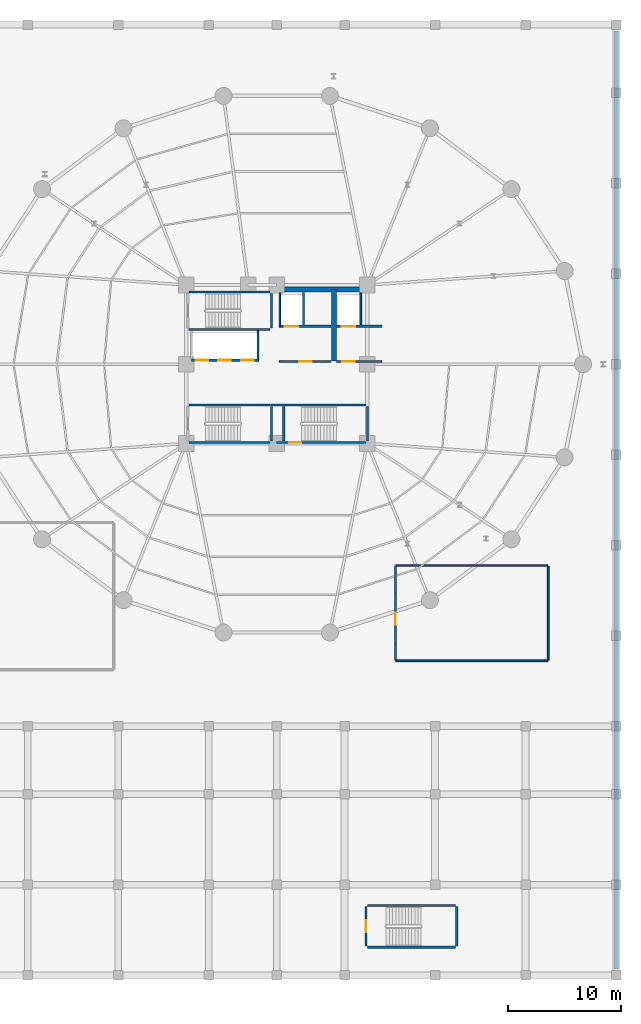
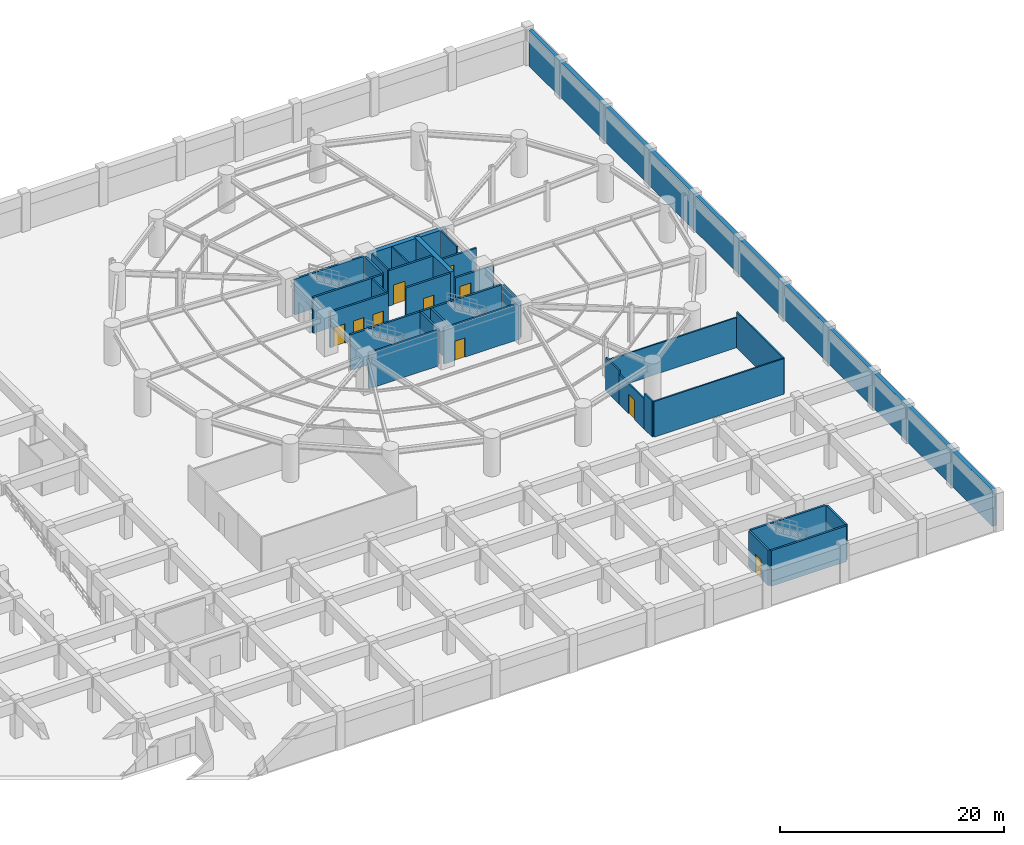
# One storey, part 12 of 20: 32 walls, 10 doors, 10 openings.
"""IFC4 building model written with IfcOpenShell, lengths in metres."""

from ifc_helpers import new_model, si_unit, direction, frame, frame_2d, origin, place, context, subcontext, project, spatial, rectangle, extrude, material, layer, layer_set, type_object, element, fill, save


model = new_model("IFC4")

# Units and contexts
model_context = context("Model", 3, precision=1e-05, world=origin(), true_north=direction((0.0, 1.0)))
body_context = subcontext(model_context, "Body", "Model", "MODEL_VIEW")
ifc_project = project(units=[si_unit("LENGTHUNIT", "METRE"), si_unit("AREAUNIT", "SQUARE_METRE"), si_unit("VOLUMEUNIT", "CUBIC_METRE"), si_unit("PLANEANGLEUNIT", "RADIAN"), si_unit("MASSUNIT", "GRAM", prefix="KILO")], contexts=[model_context])

# Site, building, storey
site_placement = place(None, origin())
site = spatial("IfcSite", under=ifc_project, at=site_placement, CompositionType="ELEMENT")
building_placement = place(site_placement, origin())
building = spatial("IfcBuilding", under=site, at=building_placement, Name="Kelanora Arch Commons", CompositionType="ELEMENT")
storey_placement = place(building_placement, frame((0.0, 0.0, -4.199951171875)))
storey = spatial("IfcBuildingStorey", under=building, at=storey_placement, Name="B01", CompositionType="ELEMENT", Elevation=-4.199951171875)

# Walls
ifc_material_1 = material(Name="Concrete C45/55 waterproofed retaining wall", Category="concrete")
ifc_layer_1 = layer(ifc_material_1, 0.39990234375)
ifc_layer_set_1 = layer_set([ifc_layer_1], Name="Concrete C45/55 waterproofed retaining wall")
wall_type_1 = type_object("IfcWallType", Name="W-BSMT-RET", PredefinedType="USERDEFINED", material=ifc_layer_set_1)
wall_1_placement = place(storey_placement, frame((104.0, 4.550048828125, 0.0), z_axis=(0.0, 0.0, 1.0), x_axis=(0.0, 1.0, 0.0)))
element("IfcWall", 1, at=wall_1_placement, inside=storey, type_object=wall_type_1, Name="Basement Retaining Wall B01-2", ObjectType="RETAININGWALL", PredefinedType="USERDEFINED", context=body_context, shape_type="SweptSolid", body=[
    extrude(rectangle(XDim=82.89990234375, YDim=0.39990234375, at=frame_2d((41.449951171875, 0.0))), origin(), (0.0, 0.0, 1.0), 3.89990234375),
])
ifc_material_2 = material(Name="Autoclaved aerated concrete blockwork with fire plaster", Category="masonry")
ifc_layer_2 = layer(ifc_material_2, 0.14990234375)
ifc_layer_set_2 = layer_set([ifc_layer_2], Name="Autoclaved aerated concrete blockwork with fire plaster")
wall_type_2 = type_object("IfcWallType", Name="W-COMP-150", PredefinedType="PARTITIONING", material=ifc_layer_set_2)
wall_2_placement = place(storey_placement, frame((74.280029296875, 61.35009765625, 0.0), z_axis=(0.0, 0.0, 1.0), x_axis=(0.0, 1.0, 0.0)))
element("IfcWall", 2, at=wall_2_placement, inside=storey, type_object=wall_type_2, Name="Firefighting Lift 1 West Shaft Wall B01", PredefinedType="PARTITIONING", context=body_context, shape_type="SweptSolid", body=[
    extrude(rectangle(XDim=2.969970703125, YDim=0.14990234375, at=frame_2d((1.48486328125, 0.0))), origin(), (0.0, 0.0, 1.0), 3.889892578125),
])
for number, where, z_axis, x_axis, name in (
    (3, (76.360107421875, 61.47998046875, 0.0), (0.0, 0.0, 1.0), (0.0, 1.0, 0.0), "Firefighting Lift 1 East Shaft Wall B01"),
    (4, (81.419921875, 61.47998046875, 0.0), (0.0, 0.0, 1.0), (0.0, 1.0, 0.0), "Firefighting Lift 2 East Shaft Wall B01"),
):
    element("IfcWall", number, at=place(storey_placement, frame(where, z_axis=z_axis, x_axis=x_axis)), inside=storey, type_object=wall_type_2, Name=name, PredefinedType="PARTITIONING", context=body_context, shape_type="SweptSolid", body=[
        extrude(rectangle(XDim=2.840087890625, YDim=0.14990234375, at=frame_2d((1.419921875, 0.0))), origin(), (0.0, 0.0, 1.0), 3.889892578125),
    ])
wall_3_placement = place(storey_placement, frame((72.340087890625, 58.47998046875, 0.0), z_axis=(0.0, 0.0, 1.0), x_axis=(0.0, 1.0, 0.0)))
element("IfcWall", 5, at=wall_3_placement, inside=storey, type_object=wall_type_2, Name="Low-Rise Lift Bank East Wall B01", PredefinedType="PARTITIONING", context=body_context, shape_type="SweptSolid", body=[
    extrude(rectangle(XDim=2.4599609375, YDim=0.14990234375, at=frame_2d((1.22998046875, 0.0))), origin(), (0.0, 0.0, 1.0), 3.889892578125),
])

# Wall, opening, door
wall_4_placement = place(storey_placement, frame((84.5, 33.260009765625, 0.0), z_axis=(0.0, 0.0, 1.0), x_axis=(0.0, 1.0, 0.0)))
wall_4 = element("IfcWall", 6, at=wall_4_placement, inside=storey, type_object=wall_type_2, Name="HV Substation and Emergency Generator Hall B01 Entry Partition", PredefinedType="PARTITIONING", context=body_context, shape_type="SweptSolid", body=[
    extrude(rectangle(XDim=4.47998046875, YDim=0.14990234375, at=frame_2d((2.239990234375, 0.0))), origin(), (0.0, 0.0, 1.0), 3.284912109375),
])
opening_1_placement = place(wall_4_placement, frame((1.699951171875, 0.0, 0.0)))
opening_1 = element("IfcOpeningElement", 7, at=opening_1_placement, cuts=wall_4, Name="Opening D-PLT1", PredefinedType="OPENING", context=body_context, shape_type="SweptSolid", body=[
    extrude(rectangle(XDim=1.080078125, YDim=2.10009765625, at=frame_2d((0.5400390625, 1.050048828125))), frame((0.0, 0.0849609375, 0.0), z_axis=(0.0, -1.0, 0.0), x_axis=(1.0, 0.0, 0.0)), (0.0, 0.0, 1.0), 0.169921875),
])
ifc_material_3 = material(Name="Galvanised steel plant and riser fire door", Category="steel")
door_type_1 = type_object("IfcDoorType", Name="D-PLT-110", OperationType="NOTDEFINED", PredefinedType="DOOR", material=ifc_material_3)
door_1_placement = place(opening_1_placement, origin())
door_1 = element("IfcDoor", 8, at=door_1_placement, inside=storey, type_object=door_type_1, Name="HV Substation and Emergency Generator Hall B01 Door", OperationType="SINGLE_SWING_LEFT", OverallHeight=2.10009765625, OverallWidth=1.080078125, PredefinedType="DOOR", context=body_context, shape_type="SweptSolid", body=[
    extrude(rectangle(XDim=1.080078125, YDim=2.10009765625, at=frame_2d((0.5400390625, 1.050048828125))), frame((0.0, 0.02490234375, 0.0), z_axis=(0.0, -1.0, 0.0), x_axis=(1.0, 0.0, 0.0)), (0.0, 0.0, 1.0), 0.050048828125),
])
fill(opening_1, door_1)

# Walls
wall_5_placement = place(storey_placement, frame((84.5400390625, 31.800048828125, 0.0), z_axis=(0.0, 0.0, 1.0), x_axis=(1.0, 0.0, 0.0)))
element("IfcWall", 9, at=wall_5_placement, inside=storey, type_object=wall_type_2, Name="HV Substation and Emergency Generator Hall B01 Enclosure Partition 1", PredefinedType="PARTITIONING", context=body_context, shape_type="SweptSolid", body=[
    extrude(rectangle(XDim=13.419921875, YDim=0.14990234375, at=frame_2d((6.7099609375, 0.0))), origin(), (0.0, 0.0, 1.0), 3.889892578125),
])
wall_6_placement = place(storey_placement, frame((98.0, 31.840087890625, 0.0), z_axis=(0.0, 0.0, 1.0), x_axis=(0.0, 1.0, 0.0)))
element("IfcWall", 10, at=wall_6_placement, inside=storey, type_object=wall_type_2, Name="HV Substation and Emergency Generator Hall B01 Enclosure Partition 2", PredefinedType="PARTITIONING", context=body_context, shape_type="SweptSolid", body=[
    extrude(rectangle(XDim=8.31982421875, YDim=0.14990234375, at=frame_2d((4.159912109375, 0.0))), origin(), (0.0, 0.0, 1.0), 3.889892578125),
])
wall_7_placement = place(storey_placement, frame((97.9599609375, 40.199951171875, 0.0), z_axis=(0.0, 0.0, 1.0), x_axis=(-1.0, 0.0, 0.0)))
element("IfcWall", 11, at=wall_7_placement, inside=storey, type_object=wall_type_2, Name="HV Substation and Emergency Generator Hall B01 Enclosure Partition 3", PredefinedType="PARTITIONING", context=body_context, shape_type="SweptSolid", body=[
    extrude(rectangle(XDim=13.419921875, YDim=0.14990234375, at=frame_2d((6.7099609375, 0.0))), origin(), (0.0, 0.0, 1.0), 3.284912109375),
])
wall_8_placement = place(storey_placement, frame((84.5, 40.159912109375, 0.0), z_axis=(0.0, 0.0, 1.0), x_axis=(0.0, -1.0, 0.0)))
element("IfcWall", 12, at=wall_8_placement, inside=storey, type_object=wall_type_2, Name="HV Substation and Emergency Generator Hall B01 Enclosure Partition 4", PredefinedType="PARTITIONING", context=body_context, shape_type="SweptSolid", body=[
    extrude(rectangle(XDim=2.419921875, YDim=0.14990234375, at=frame_2d((1.2099609375, 0.0))), origin(), (0.0, 0.0, 1.0), 3.64501953125),
])
wall_9_placement = place(storey_placement, frame((84.5, 33.260009765625, 0.0), z_axis=(0.0, 0.0, 1.0), x_axis=(0.0, -1.0, 0.0)))
element("IfcWall", 13, at=wall_9_placement, inside=storey, type_object=wall_type_2, Name="HV Substation and Emergency Generator Hall B01 Enclosure Partition 4", PredefinedType="PARTITIONING", context=body_context, shape_type="SweptSolid", body=[
    extrude(rectangle(XDim=1.419921875, YDim=0.14990234375, at=frame_2d((0.7099609375, 0.0))), origin(), (0.0, 0.0, 1.0), 3.889892578125),
])
ifc_material_4 = material(Name="Concrete C60/75", Category="concrete")
ifc_layer_3 = layer(ifc_material_4, 0.449951171875)
ifc_layer_set_3 = layer_set([ifc_layer_3], Name="Concrete C60/75")
wall_type_3 = type_object("IfcWallType", Name="W-CORE-450", PredefinedType="SHEAR", material=ifc_layer_set_3)
wall_10_placement = place(storey_placement, frame((74.0, 64.60009765625, 0.0), z_axis=(0.0, 0.0, 1.0), x_axis=(1.0, 0.0, 0.0)))
element("IfcWall", 14, at=wall_10_placement, inside=storey, type_object=wall_type_3, Name="Core Shear Spine B01-CN-E", PredefinedType="SHEAR", context=body_context, shape_type="SweptSolid", body=[
    extrude(rectangle(XDim=8.0, YDim=0.449951171875, at=frame_2d((4.0, 0.0))), origin(), (0.0, 0.0, 1.0), 3.89990234375),
])
wall_11_placement = place(storey_placement, frame((79.050048828125, 58.300048828125, 0.0), z_axis=(0.0, 0.0, 1.0), x_axis=(0.0, 1.0, 0.0)))
element("IfcWall", 15, at=wall_11_placement, inside=storey, type_object=wall_type_3, Name="Core Shear Spine B01-CE-N", PredefinedType="SHEAR", context=body_context, shape_type="SweptSolid", body=[
    extrude(rectangle(XDim=6.300048828125, YDim=0.449951171875, at=frame_2d((3.14990234375, 0.0))), origin(), (0.0, 0.0, 1.0), 3.89990234375),
])

# Wall, opening, door
ifc_material_5 = material(Name="Concrete C40/50", Category="concrete")
ifc_layer_4 = layer(ifc_material_5, 0.199951171875)
ifc_layer_set_4 = layer_set([ifc_layer_4], Name="Concrete C40/50")
wall_type_4 = type_object("IfcWallType", Name="W-FFL-200", PredefinedType="SOLIDWALL", material=ifc_layer_set_4)
wall_12_placement = place(storey_placement, frame((74.199951171875, 61.35009765625, 0.0), z_axis=(0.0, 0.0, 1.0), x_axis=(1.0, 0.0, 0.0)))
wall_12 = element("IfcWall", 16, at=wall_12_placement, inside=storey, type_object=wall_type_4, Name="Firefighting Lift 1 Shaft Front B01", PredefinedType="SOLIDWALL", context=body_context, shape_type="SweptSolid", body=[
    extrude(rectangle(XDim=4.60009765625, YDim=0.199951171875, at=frame_2d((2.300048828125, 0.0))), origin(), (0.0, 0.0, 1.0), 3.889892578125),
])
opening_2_placement = place(wall_12_placement, frame((0.52001953125, 0.0, 0.0)))
opening_2 = element("IfcOpeningElement", 17, at=opening_2_placement, cuts=wall_12, Name="Opening LD-FF", PredefinedType="OPENING", context=body_context, shape_type="SweptSolid", body=[
    extrude(rectangle(XDim=1.199951171875, YDim=2.14990234375, at=frame_2d((0.60009765625, 1.074951171875))), frame((0.0, 0.10986328125, 0.0), z_axis=(0.0, -1.0, 0.0), x_axis=(1.0, 0.0, 0.0)), (0.0, 0.0, 1.0), 0.219970703125),
])
ifc_material_6 = material(Name="Fire-rated firefighters lift sliding landing door")
door_type_2 = type_object("IfcDoorType", Name="D-LIFT-FF", OperationType="NOTDEFINED", PredefinedType="DOOR", material=ifc_material_6)
door_2_placement = place(opening_2_placement, origin())
door_2 = element("IfcDoor", 18, at=door_2_placement, inside=storey, type_object=door_type_2, Name="Firefighting Lift LF-FF1 Landing Door B01", OperationType="DOUBLE_DOOR_SLIDING", OverallHeight=2.14990234375, OverallWidth=1.199951171875, PredefinedType="DOOR", context=body_context, shape_type="SweptSolid", body=[
    extrude(rectangle(XDim=1.199951171875, YDim=2.14990234375, at=frame_2d((0.60009765625, 1.074951171875))), frame((0.0, 0.02490234375, 0.0), z_axis=(0.0, -1.0, 0.0), x_axis=(1.0, 0.0, 0.0)), (0.0, 0.0, 1.0), 0.050048828125),
])
fill(opening_2, door_2)

wall_13_placement = place(storey_placement, frame((79.300048828125, 61.35009765625, 0.0), z_axis=(0.0, 0.0, 1.0), x_axis=(1.0, 0.0, 0.0)))
wall_13 = element("IfcWall", 19, at=wall_13_placement, inside=storey, type_object=wall_type_4, Name="Firefighting Lift 2 Shaft Front B01", PredefinedType="SOLIDWALL", context=body_context, shape_type="SweptSolid", body=[
    extrude(rectangle(XDim=4.0, YDim=0.199951171875, at=frame_2d((2.0, 0.0))), origin(), (0.0, 0.0, 1.0), 3.18505859375),
])
opening_3_placement = place(wall_13_placement, frame((0.449951171875, 0.0, 0.0)))
opening_3 = element("IfcOpeningElement", 20, at=opening_3_placement, cuts=wall_13, Name="Opening LD-FF", PredefinedType="OPENING", context=body_context, shape_type="SweptSolid", body=[
    extrude(rectangle(XDim=1.199951171875, YDim=2.14990234375, at=frame_2d((0.60009765625, 1.074951171875))), frame((0.0, 0.10986328125, 0.0), z_axis=(0.0, -1.0, 0.0), x_axis=(1.0, 0.0, 0.0)), (0.0, 0.0, 1.0), 0.219970703125),
])
door_3_placement = place(opening_3_placement, origin())
door_3 = element("IfcDoor", 21, at=door_3_placement, inside=storey, type_object=door_type_2, Name="Firefighting Lift LF-FF2 Landing Door B01", OperationType="DOUBLE_DOOR_SLIDING", OverallHeight=2.14990234375, OverallWidth=1.199951171875, PredefinedType="DOOR", context=body_context, shape_type="SweptSolid", body=[
    extrude(rectangle(XDim=1.199951171875, YDim=2.14990234375, at=frame_2d((0.60009765625, 1.074951171875))), frame((0.0, 0.02490234375, 0.0), z_axis=(0.0, -1.0, 0.0), x_axis=(1.0, 0.0, 0.0)), (0.0, 0.0, 1.0), 0.050048828125),
])
fill(opening_3, door_3)

wall_14_placement = place(storey_placement, frame((74.199951171875, 58.25, 0.0), z_axis=(0.0, 0.0, 1.0), x_axis=(1.0, 0.0, 0.0)))
wall_14 = element("IfcWall", 22, at=wall_14_placement, inside=storey, type_object=wall_type_4, Name="Firefighting Lobby 1 Enclosure Wall B01", PredefinedType="SOLIDWALL", context=body_context, shape_type="SweptSolid", body=[
    extrude(rectangle(XDim=4.60009765625, YDim=0.199951171875, at=frame_2d((2.300048828125, 0.0))), origin(), (0.0, 0.0, 1.0), 3.889892578125),
])
opening_4_placement = place(wall_14_placement, frame((1.800048828125, 0.0, 0.0)))
opening_4 = element("IfcOpeningElement", 23, at=opening_4_placement, cuts=wall_14, Name="Opening D-FFL1", PredefinedType="OPENING", context=body_context, shape_type="SweptSolid", body=[
    extrude(rectangle(XDim=1.10009765625, YDim=2.10009765625, at=frame_2d((0.550048828125, 1.050048828125))), frame((0.0, 0.10986328125, 0.0), z_axis=(0.0, -1.0, 0.0), x_axis=(1.0, 0.0, 0.0)), (0.0, 0.0, 1.0), 0.219970703125),
])
ifc_material_7 = material(Name="Smoke-sealed firefighting lobby fire door")
door_type_3 = type_object("IfcDoorType", Name="D-FFL-110", OperationType="NOTDEFINED", PredefinedType="DOOR", material=ifc_material_7)
door_4_placement = place(opening_4_placement, frame((1.10009765625, 0.0, 0.0), z_axis=(0.0, 0.0, 1.0), x_axis=(-1.0, 0.0, 0.0)))
door_4 = element("IfcDoor", 24, at=door_4_placement, inside=storey, type_object=door_type_3, Name="Firefighting Lobby 1 Door B01", OperationType="SINGLE_SWING_LEFT", OverallHeight=2.10009765625, OverallWidth=1.10009765625, PredefinedType="DOOR", context=body_context, shape_type="SweptSolid", body=[
    extrude(rectangle(XDim=1.10009765625, YDim=2.10009765625, at=frame_2d((0.550048828125, 1.050048828125))), frame((0.0, 0.02490234375, 0.0), z_axis=(0.0, -1.0, 0.0), x_axis=(1.0, 0.0, 0.0)), (0.0, 0.0, 1.0), 0.050048828125),
])
fill(opening_4, door_4)

wall_15_placement = place(storey_placement, frame((79.300048828125, 58.25, 0.0), z_axis=(0.0, 0.0, 1.0), x_axis=(1.0, 0.0, 0.0)))
wall_15 = element("IfcWall", 25, at=wall_15_placement, inside=storey, type_object=wall_type_4, Name="Firefighting Lobby 2 Enclosure Wall B01", PredefinedType="SOLIDWALL", context=body_context, shape_type="SweptSolid", body=[
    extrude(rectangle(XDim=4.0, YDim=0.199951171875, at=frame_2d((2.0, 0.0))), origin(), (0.0, 0.0, 1.0), 3.18505859375),
])
opening_5_placement = place(wall_15_placement, frame((0.5, 0.0, 0.0)))
opening_5 = element("IfcOpeningElement", 26, at=opening_5_placement, cuts=wall_15, Name="Opening D-FFL1", PredefinedType="OPENING", context=body_context, shape_type="SweptSolid", body=[
    extrude(rectangle(XDim=1.10009765625, YDim=2.10009765625, at=frame_2d((0.550048828125, 1.050048828125))), frame((0.0, 0.10986328125, 0.0), z_axis=(0.0, -1.0, 0.0), x_axis=(1.0, 0.0, 0.0)), (0.0, 0.0, 1.0), 0.219970703125),
])
door_5_placement = place(opening_5_placement, frame((1.10009765625, 0.0, 0.0), z_axis=(0.0, 0.0, 1.0), x_axis=(-1.0, 0.0, 0.0)))
door_5 = element("IfcDoor", 27, at=door_5_placement, inside=storey, type_object=door_type_3, Name="Firefighting Lobby 2 Door B01", OperationType="SINGLE_SWING_RIGHT", OverallHeight=2.10009765625, OverallWidth=1.10009765625, PredefinedType="DOOR", context=body_context, shape_type="SweptSolid", body=[
    extrude(rectangle(XDim=1.10009765625, YDim=2.10009765625, at=frame_2d((0.550048828125, 1.050048828125))), frame((0.0, 0.02490234375, 0.0), z_axis=(0.0, -1.0, 0.0), x_axis=(1.0, 0.0, 0.0)), (0.0, 0.0, 1.0), 0.050048828125),
])
fill(opening_5, door_5)

# Wall, openings, doors
wall_16_placement = place(storey_placement, frame((66.449951171875, 58.35009765625, 0.0), z_axis=(0.0, 0.0, 1.0), x_axis=(1.0, 0.0, 0.0)))
wall_16 = element("IfcWall", 28, at=wall_16_placement, inside=storey, type_object=wall_type_4, Name="Low-Rise Passenger Lift Shaft Front B01", PredefinedType="SOLIDWALL", context=body_context, shape_type="SweptSolid", body=[
    extrude(rectangle(XDim=6.0, YDim=0.199951171875, at=frame_2d((3.0, 0.0))), origin(), (0.0, 0.0, 1.0), 3.889892578125),
])
opening_6_placement = place(wall_16_placement, frame((0.39990234375, 0.0, 0.0)))
opening_6 = element("IfcOpeningElement", 29, at=opening_6_placement, cuts=wall_16, Name="Opening LD-01", PredefinedType="OPENING", context=body_context, shape_type="SweptSolid", body=[
    extrude(rectangle(XDim=1.10009765625, YDim=2.10009765625, at=frame_2d((0.550048828125, 1.050048828125))), frame((0.0, 0.10986328125, 0.0), z_axis=(0.0, -1.0, 0.0), x_axis=(1.0, 0.0, 0.0)), (0.0, 0.0, 1.0), 0.219970703125),
])
opening_7_placement = place(wall_16_placement, frame((2.39990234375, 0.0, 0.0)))
opening_7 = element("IfcOpeningElement", 30, at=opening_7_placement, cuts=wall_16, Name="Opening LD-01", PredefinedType="OPENING", context=body_context, shape_type="SweptSolid", body=[
    extrude(rectangle(XDim=1.10009765625, YDim=2.10009765625, at=frame_2d((0.550048828125, 1.050048828125))), frame((0.0, 0.10986328125, 0.0), z_axis=(0.0, -1.0, 0.0), x_axis=(1.0, 0.0, 0.0)), (0.0, 0.0, 1.0), 0.219970703125),
])
opening_8_placement = place(wall_16_placement, frame((4.39990234375, 0.0, 0.0)))
opening_8 = element("IfcOpeningElement", 31, at=opening_8_placement, cuts=wall_16, Name="Opening LD-01", PredefinedType="OPENING", context=body_context, shape_type="SweptSolid", body=[
    extrude(rectangle(XDim=1.10009765625, YDim=2.10009765625, at=frame_2d((0.550048828125, 1.050048828125))), frame((0.0, 0.10986328125, 0.0), z_axis=(0.0, -1.0, 0.0), x_axis=(1.0, 0.0, 0.0)), (0.0, 0.0, 1.0), 0.219970703125),
])
ifc_material_8 = material(Name="Stainless steel passenger lift sliding landing door", Category="steel")
door_type_4 = type_object("IfcDoorType", Name="D-LIFT-110", OperationType="NOTDEFINED", PredefinedType="DOOR", material=ifc_material_8)
door_6_placement = place(opening_6_placement, origin())
door_6 = element("IfcDoor", 32, at=door_6_placement, inside=storey, type_object=door_type_4, Name="Passenger Lift LF-P1 Landing Door B01", OperationType="DOUBLE_DOOR_SLIDING", OverallHeight=2.10009765625, OverallWidth=1.10009765625, PredefinedType="DOOR", context=body_context, shape_type="SweptSolid", body=[
    extrude(rectangle(XDim=1.10009765625, YDim=2.10009765625, at=frame_2d((0.550048828125, 1.050048828125))), frame((0.0, 0.02490234375, 0.0), z_axis=(0.0, -1.0, 0.0), x_axis=(1.0, 0.0, 0.0)), (0.0, 0.0, 1.0), 0.050048828125),
])
fill(opening_6, door_6)
door_7_placement = place(opening_7_placement, origin())
door_7 = element("IfcDoor", 33, at=door_7_placement, inside=storey, type_object=door_type_4, Name="Passenger Lift LF-P2 Landing Door B01", OperationType="DOUBLE_DOOR_SLIDING", OverallHeight=2.10009765625, OverallWidth=1.10009765625, PredefinedType="DOOR", context=body_context, shape_type="SweptSolid", body=[
    extrude(rectangle(XDim=1.10009765625, YDim=2.10009765625, at=frame_2d((0.550048828125, 1.050048828125))), frame((0.0, 0.02490234375, 0.0), z_axis=(0.0, -1.0, 0.0), x_axis=(1.0, 0.0, 0.0)), (0.0, 0.0, 1.0), 0.050048828125),
])
fill(opening_7, door_7)
door_8_placement = place(opening_8_placement, origin())
door_8 = element("IfcDoor", 34, at=door_8_placement, inside=storey, type_object=door_type_4, Name="Passenger Lift LF-P3 Landing Door B01", OperationType="DOUBLE_DOOR_SLIDING", OverallHeight=2.10009765625, OverallWidth=1.10009765625, PredefinedType="DOOR", context=body_context, shape_type="SweptSolid", body=[
    extrude(rectangle(XDim=1.10009765625, YDim=2.10009765625, at=frame_2d((0.550048828125, 1.050048828125))), frame((0.0, 0.02490234375, 0.0), z_axis=(0.0, -1.0, 0.0), x_axis=(1.0, 0.0, 0.0)), (0.0, 0.0, 1.0), 0.050048828125),
])
fill(opening_8, door_8)

# Walls
ifc_layer_5 = layer(ifc_material_5, 0.199951171875)
ifc_layer_set_5 = layer_set([ifc_layer_5], Name="Concrete C40/50")
wall_type_5 = type_object("IfcWallType", Name="W-STAIR-200", PredefinedType="SHEAR", material=ifc_layer_set_5)
wall_17_placement = place(storey_placement, frame((66.260009765625, 61.080078125, 0.0), z_axis=(0.0, 0.0, 1.0), x_axis=(1.0, 0.0, 0.0)))
element("IfcWall", 35, at=wall_17_placement, inside=storey, type_object=wall_type_5, Name="Stair ST-T1 Shaft Wall S B01", PredefinedType="SHEAR", context=body_context, shape_type="SweptSolid", body=[
    extrude(rectangle(XDim=7.159912109375, YDim=0.199951171875, at=frame_2d((3.580078125, 0.0))), origin(), (0.0, 0.0, 1.0), 3.89990234375),
])
wall_18_placement = place(storey_placement, frame((73.5400390625, 61.199951171875, 0.0), z_axis=(0.0, 0.0, 1.0), x_axis=(0.0, 1.0, 0.0)))
element("IfcWall", 36, at=wall_18_placement, inside=storey, type_object=wall_type_5, Name="Stair ST-T1 Shaft Wall E B01", PredefinedType="SHEAR", context=body_context, shape_type="SweptSolid", body=[
    extrude(rectangle(XDim=3.070068359375, YDim=0.199951171875, at=frame_2d((1.53515625, 0.0))), origin(), (0.0, 0.0, 1.0), 3.89990234375),
])
wall_19_placement = place(storey_placement, frame((73.419921875, 64.389892578125, 0.0), z_axis=(0.0, 0.0, 1.0), x_axis=(-1.0, 0.0, 0.0)))
element("IfcWall", 37, at=wall_19_placement, inside=storey, type_object=wall_type_5, Name="Stair ST-T1 Shaft Wall N B01", PredefinedType="SHEAR", context=body_context, shape_type="SweptSolid", body=[
    extrude(rectangle(XDim=7.159912109375, YDim=0.199951171875, at=frame_2d((3.580078125, 0.0))), origin(), (0.0, 0.0, 1.0), 3.89990234375),
])

# Wall, opening, door
wall_20_placement = place(storey_placement, frame((74.0, 51.080078125, 0.0), z_axis=(0.0, 0.0, 1.0), x_axis=(1.0, 0.0, 0.0)))
wall_20 = element("IfcWall", 38, at=wall_20_placement, inside=storey, type_object=wall_type_5, Name="Stair ST-T2 Shaft Wall S B01", PredefinedType="SHEAR", context=body_context, shape_type="SweptSolid", body=[
    extrude(rectangle(XDim=7.89990234375, YDim=0.199951171875, at=frame_2d((3.949951171875, 0.0))), origin(), (0.0, 0.0, 1.0), 3.89990234375),
])
opening_9_placement = place(wall_20_placement, frame((1.1201171875, 0.0, 0.0)))
opening_9 = element("IfcOpeningElement", 39, at=opening_9_placement, cuts=wall_20, Name="Opening D-ST1", PredefinedType="OPENING", context=body_context, shape_type="SweptSolid", body=[
    extrude(rectangle(XDim=1.050048828125, YDim=2.10009765625, at=frame_2d((0.52490234375, 1.050048828125))), frame((0.0, 0.10986328125, 0.0), z_axis=(0.0, -1.0, 0.0), x_axis=(1.0, 0.0, 0.0)), (0.0, 0.0, 1.0), 0.219970703125),
])
ifc_material_9 = material(Name="Steel fire-rated stairwell escape door", Category="steel")
door_type_5 = type_object("IfcDoorType", Name="D-STAIR-110", OperationType="NOTDEFINED", PredefinedType="DOOR", material=ifc_material_9)
door_9_placement = place(opening_9_placement, origin())
door_9 = element("IfcDoor", 40, at=door_9_placement, inside=storey, type_object=door_type_5, Name="Stair ST-T2 Escape Door B01", OperationType="SINGLE_SWING_LEFT", OverallHeight=2.10009765625, OverallWidth=1.050048828125, PredefinedType="DOOR", context=body_context, shape_type="SweptSolid", body=[
    extrude(rectangle(XDim=1.050048828125, YDim=2.10009765625, at=frame_2d((0.52490234375, 1.050048828125))), frame((0.0, 0.02490234375, 0.0), z_axis=(0.0, -1.0, 0.0), x_axis=(1.0, 0.0, 0.0)), (0.0, 0.0, 1.0), 0.050048828125),
])
fill(opening_9, door_9)

# Walls
wall_21_placement = place(storey_placement, frame((82.02001953125, 51.199951171875, 0.0), z_axis=(0.0, 0.0, 1.0), x_axis=(0.0, 1.0, 0.0)))
element("IfcWall", 41, at=wall_21_placement, inside=storey, type_object=wall_type_5, Name="Stair ST-T2 Shaft Wall E B01", PredefinedType="SHEAR", context=body_context, shape_type="SweptSolid", body=[
    extrude(rectangle(XDim=3.070068359375, YDim=0.199951171875, at=frame_2d((1.53515625, 0.0))), origin(), (0.0, 0.0, 1.0), 3.89990234375),
])
wall_22_placement = place(storey_placement, frame((81.89990234375, 54.389892578125, 0.0), z_axis=(0.0, 0.0, 1.0), x_axis=(-1.0, 0.0, 0.0)))
element("IfcWall", 42, at=wall_22_placement, inside=storey, type_object=wall_type_5, Name="Stair ST-T2 Shaft Wall N B01", PredefinedType="SHEAR", context=body_context, shape_type="SweptSolid", body=[
    extrude(rectangle(XDim=8.4599609375, YDim=0.199951171875, at=frame_2d((4.22998046875, 0.0))), origin(), (0.0, 0.0, 1.0), 3.89990234375),
])
wall_23_placement = place(storey_placement, frame((74.6201171875, 54.27001953125, 0.0), z_axis=(0.0, 0.0, 1.0), x_axis=(0.0, -1.0, 0.0)))
element("IfcWall", 43, at=wall_23_placement, inside=storey, type_object=wall_type_5, Name="Stair ST-T2 Shaft Wall W B01", PredefinedType="SHEAR", context=body_context, shape_type="SweptSolid", body=[
    extrude(rectangle(XDim=3.070068359375, YDim=0.199951171875, at=frame_2d((1.53515625, 0.0))), origin(), (0.0, 0.0, 1.0), 3.89990234375),
])
wall_24_placement = place(storey_placement, frame((66.260009765625, 51.080078125, 0.0), z_axis=(0.0, 0.0, 1.0), x_axis=(1.0, 0.0, 0.0)))
element("IfcWall", 44, at=wall_24_placement, inside=storey, type_object=wall_type_5, Name="Stair ST-T3 Shaft Wall S B01", PredefinedType="SHEAR", context=body_context, shape_type="SweptSolid", body=[
    extrude(rectangle(XDim=7.159912109375, YDim=0.199951171875, at=frame_2d((3.580078125, 0.0))), origin(), (0.0, 0.0, 1.0), 3.89990234375),
])
wall_25_placement = place(storey_placement, frame((73.5400390625, 51.199951171875, 0.0), z_axis=(0.0, 0.0, 1.0), x_axis=(0.0, 1.0, 0.0)))
element("IfcWall", 45, at=wall_25_placement, inside=storey, type_object=wall_type_5, Name="Stair ST-T3 Shaft Wall E B01", PredefinedType="SHEAR", context=body_context, shape_type="SweptSolid", body=[
    extrude(rectangle(XDim=3.070068359375, YDim=0.199951171875, at=frame_2d((1.53515625, 0.0))), origin(), (0.0, 0.0, 1.0), 3.89990234375),
])
wall_26_placement = place(storey_placement, frame((73.419921875, 54.389892578125, 0.0), z_axis=(0.0, 0.0, 1.0), x_axis=(-1.0, 0.0, 0.0)))
element("IfcWall", 46, at=wall_26_placement, inside=storey, type_object=wall_type_5, Name="Stair ST-T3 Shaft Wall N B01", PredefinedType="SHEAR", context=body_context, shape_type="SweptSolid", body=[
    extrude(rectangle(XDim=7.159912109375, YDim=0.199951171875, at=frame_2d((3.580078125, 0.0))), origin(), (0.0, 0.0, 1.0), 3.89990234375),
])
wall_27_placement = place(storey_placement, frame((82.02001953125, 6.4599609375, 0.0), z_axis=(0.0, 0.0, 1.0), x_axis=(1.0, 0.0, 0.0)))
element("IfcWall", 47, at=wall_27_placement, inside=storey, type_object=wall_type_5, Name="Stair ST-M2 Shaft Wall S B01", PredefinedType="SHEAR", context=body_context, shape_type="SweptSolid", body=[
    extrude(rectangle(XDim=7.760009765625, YDim=0.199951171875, at=frame_2d((3.8798828125, 0.0))), origin(), (0.0, 0.0, 1.0), 3.8798828125),
])
wall_28_placement = place(storey_placement, frame((89.89990234375, 6.580078125, 0.0), z_axis=(0.0, 0.0, 1.0), x_axis=(0.0, 1.0, 0.0)))
element("IfcWall", 48, at=wall_28_placement, inside=storey, type_object=wall_type_5, Name="Stair ST-M2 Shaft Wall E B01", PredefinedType="SHEAR", context=body_context, shape_type="SweptSolid", body=[
    extrude(rectangle(XDim=3.469970703125, YDim=0.199951171875, at=frame_2d((1.73486328125, 0.0))), origin(), (0.0, 0.0, 1.0), 3.8798828125),
])
wall_29_placement = place(storey_placement, frame((89.780029296875, 10.169921875, 0.0), z_axis=(0.0, 0.0, 1.0), x_axis=(-1.0, 0.0, 0.0)))
element("IfcWall", 49, at=wall_29_placement, inside=storey, type_object=wall_type_5, Name="Stair ST-M2 Shaft Wall N B01", PredefinedType="SHEAR", context=body_context, shape_type="SweptSolid", body=[
    extrude(rectangle(XDim=7.760009765625, YDim=0.199951171875, at=frame_2d((3.8798828125, 0.0))), origin(), (0.0, 0.0, 1.0), 3.8798828125),
])

# Wall, opening, door
wall_30_placement = place(storey_placement, frame((81.89990234375, 10.050048828125, 0.0), z_axis=(0.0, 0.0, 1.0), x_axis=(0.0, -1.0, 0.0)))
wall_30 = element("IfcWall", 50, at=wall_30_placement, inside=storey, type_object=wall_type_5, Name="Stair ST-M2 Shaft Wall W B01", PredefinedType="SHEAR", context=body_context, shape_type="SweptSolid", body=[
    extrude(rectangle(XDim=3.469970703125, YDim=0.199951171875, at=frame_2d((1.73486328125, 0.0))), origin(), (0.0, 0.0, 1.0), 3.8798828125),
])
opening_10_placement = place(wall_30_placement, frame((1.2099609375, 0.0, 0.0)))
opening_10 = element("IfcOpeningElement", 51, at=opening_10_placement, cuts=wall_30, Name="Opening D-ST1", PredefinedType="OPENING", context=body_context, shape_type="SweptSolid", body=[
    extrude(rectangle(XDim=1.050048828125, YDim=2.10009765625, at=frame_2d((0.52490234375, 1.050048828125))), frame((0.0, 0.10986328125, 0.0), z_axis=(0.0, -1.0, 0.0), x_axis=(1.0, 0.0, 0.0)), (0.0, 0.0, 1.0), 0.219970703125),
])
door_10_placement = place(opening_10_placement, origin())
door_10 = element("IfcDoor", 52, at=door_10_placement, inside=storey, type_object=door_type_5, Name="Stair ST-M2 Escape Door B01", OperationType="SINGLE_SWING_LEFT", OverallHeight=2.10009765625, OverallWidth=1.050048828125, PredefinedType="DOOR", context=body_context, shape_type="SweptSolid", body=[
    extrude(rectangle(XDim=1.050048828125, YDim=2.10009765625, at=frame_2d((0.52490234375, 1.050048828125))), frame((0.0, 0.02490234375, 0.0), z_axis=(0.0, -1.0, 0.0), x_axis=(1.0, 0.0, 0.0)), (0.0, 0.0, 1.0), 0.050048828125),
])
fill(opening_10, door_10)

save(model, "model.ifc")
